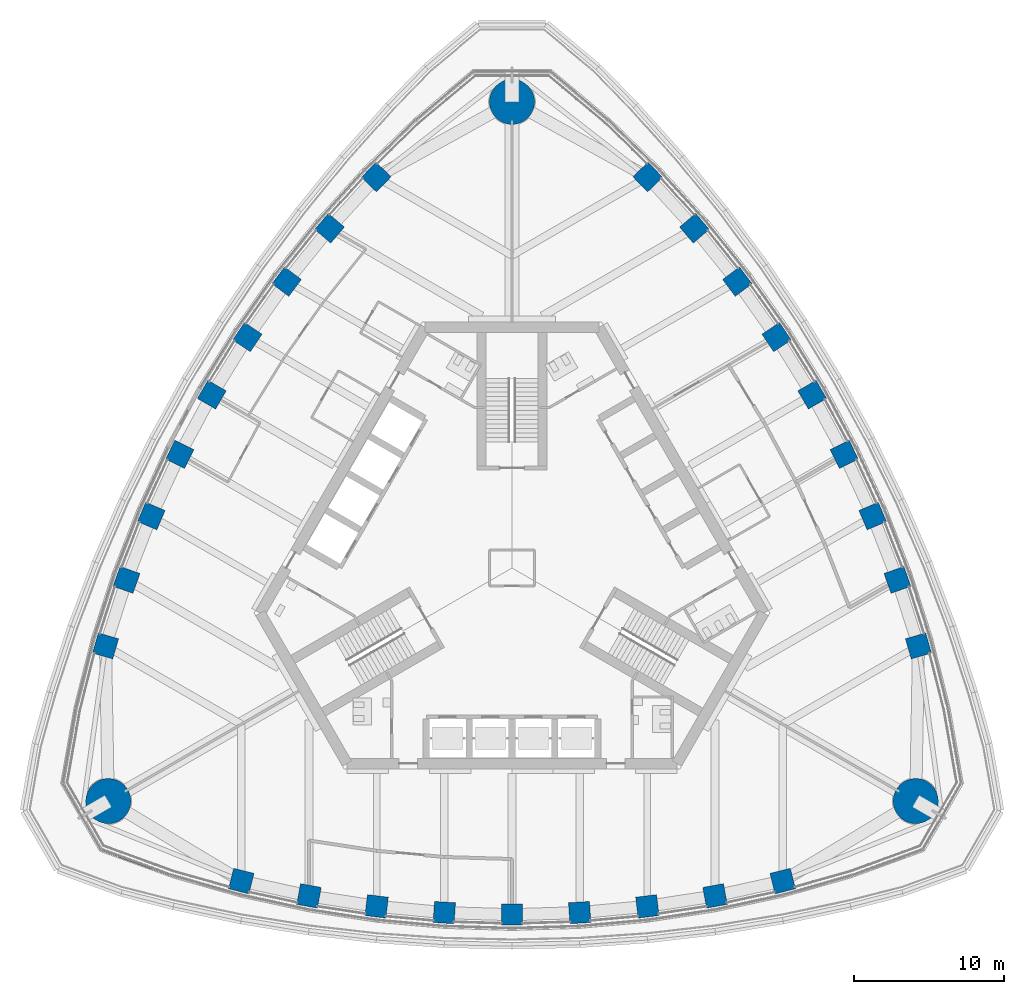
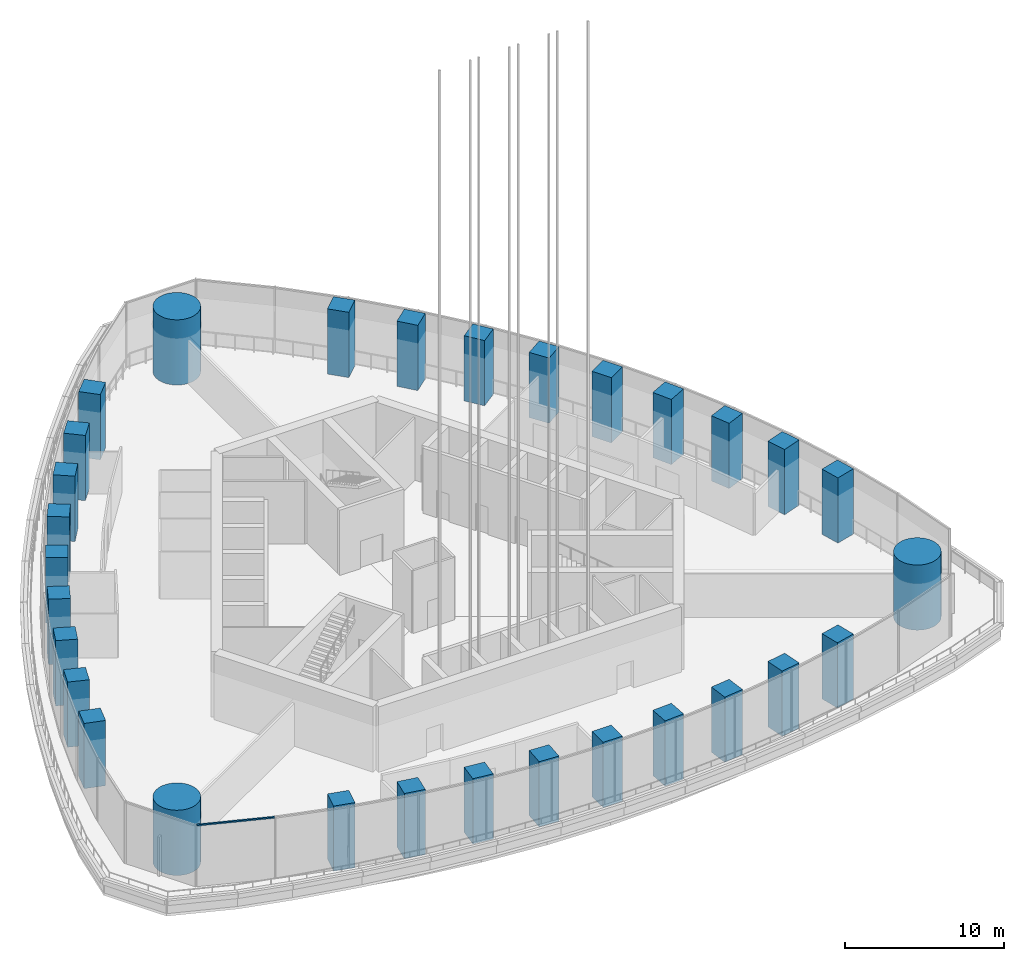
# One storey, part 1 of 26: 30 columns, 1 member, 1 element without a shape of its own.
"""IFC4 building model written with IfcOpenShell, lengths in metres."""

from ifc_helpers import new_model, si_unit, direction, frame, origin, origin_2d, place, context, subcontext, project, spatial, rectangle, circle, extrude, material, material_profile, profile_set, type_object, element, aggregate, save


model = new_model("IFC4")

# Units and contexts
model_context = context("Model", 3, precision=1e-05, world=origin(), true_north=direction((0.0, 1.0)))
body_context = subcontext(model_context, "Body", "Model", "MODEL_VIEW")
ifc_project = project(units=[si_unit("LENGTHUNIT", "METRE"), si_unit("AREAUNIT", "SQUARE_METRE"), si_unit("VOLUMEUNIT", "CUBIC_METRE"), si_unit("PLANEANGLEUNIT", "RADIAN"), si_unit("MASSUNIT", "GRAM", prefix="KILO")], contexts=[model_context])

# Site, building, storey
site_placement = place(None, origin())
site = spatial("IfcSite", under=ifc_project, at=site_placement, CompositionType="ELEMENT")
building_placement = place(site_placement, origin())
building = spatial("IfcBuilding", under=site, at=building_placement, Name="Trefoil Bronze Tower", CompositionType="ELEMENT")
storey_placement = place(building_placement, frame((0.0, 0.0, 271.300048828125)))
storey = spatial("IfcBuildingStorey", under=building, at=storey_placement, Name="L62", CompositionType="ELEMENT", Elevation=271.300048828125)

# Columns
ifc_material_1 = material(Name="Concrete B80", Category="concrete")
ifc_material_profile_1 = material_profile(ifc_material_1, circle(Radius=1.5, at=origin_2d()), Name="RC D3000")
ifc_profile_set_1 = profile_set([ifc_material_profile_1], Name="Concrete B80")
column_type_1 = type_object("IfcColumnType", Name="Mega column RC D3000", PredefinedType="COLUMN", material=ifc_profile_set_1)
for number, where, z_axis, x_axis, name in (
    (1, (26.8466796875, -15.5, 0.0), (0.0, 0.0, 1.0), (1.0, 0.0, 0.0), "Mega column K1 L62"),
    (2, (0.0, 31.0, 0.0), (0.0, 0.0, 1.0), (1.0, 0.0, 0.0), "Mega column K2 L62"),
    (3, (-26.8466796875, -15.5, 0.0), (0.0, 0.0, 1.0), (1.0, 0.0, 0.0), "Mega column K3 L62"),
):
    element("IfcColumn", number, at=place(storey_placement, frame(where, z_axis=z_axis, x_axis=x_axis)), inside=storey, type_object=column_type_1, Name=name, PredefinedType="COLUMN", context=body_context, shape_type="SweptSolid", body=[
        extrude(circle(Radius=1.5, at=origin_2d()), origin(), (0.0, 0.0, 1.0), 5.0),
    ])
ifc_material_2 = material(Name="Concrete B80", Category="concrete")
ifc_material_profile_2 = material_profile(ifc_material_2, rectangle(XDim=1.39990234375, YDim=1.39990234375, at=origin_2d()), Name="RC 1400x1400")
ifc_profile_set_2 = profile_set([ifc_material_profile_2], Name="Concrete B80")
column_type_2 = type_object("IfcColumnType", Name="Tube column RC 1400x1400", PredefinedType="COLUMN", material=ifc_profile_set_2)
for number, where, z_axis, x_axis, name in (
    (4, (-18.0, -20.816162109375, 0.0), (0.0, 0.0, 1.0), (0.97017777199, -0.242394494031, 0.0), "Tube column F1/-4 L62"),
    (5, (-13.5, -21.802734375, 0.0), (0.0, 0.0, 1.0), (0.983360067227, -0.181667218242, 0.0), "Tube column F1/-3 L62"),
    (6, (-9.0, -22.499267578125, 0.0), (0.0, 0.0, 1.0), (0.992639174109, -0.121109330868, 0.0), "Tube column F1/-2 L62"),
    (7, (-4.5, -22.913818359375, 0.0), (0.0, 0.0, 1.0), (0.998164920349, -0.060554040199, 0.0), "Tube column F1/-1 L62"),
    (8, (0.0, -23.051513671875, 0.0), (0.0, 0.0, 1.0), (1.0, 0.0, 0.0), "Tube column F1/+0 L62"),
    (9, (4.5, -22.913818359375, 0.0), (0.0, 0.0, 1.0), (0.998164920349, 0.060554040199, 0.0), "Tube column F1/+1 L62"),
    (10, (9.0, -22.499267578125, 0.0), (0.0, 0.0, 1.0), (0.992639174109, 0.121109330868, 0.0), "Tube column F1/+2 L62"),
    (11, (13.5, -21.802734375, 0.0), (0.0, 0.0, 1.0), (0.983360067227, 0.181667218242, 0.0), "Tube column F1/+3 L62"),
    (12, (18.0, -20.816162109375, 0.0), (0.0, 0.0, 1.0), (0.97017777199, 0.242394494031, 0.0), "Tube column F1/+4 L62"),
    (13, (27.02734375, -5.180419921875, 0.0), (0.0, 0.0, 1.0), (-0.275169096426, 0.961395843746, 0.0), "Tube column F2/-4 L62"),
    (14, (25.631591796875, -0.7900390625, 0.0), (0.0, 0.0, 1.0), (-0.334351607581, 0.942448408407, 0.0), "Tube column F2/-3 L62"),
    (15, (23.98486328125, 3.455322265625, 0.0), (0.0, 0.0, 1.0), (-0.391435829888, 0.920205407004, 0.0), "Tube column F2/-2 L62"),
    (16, (22.093994140625, 7.559814453125, 0.0), (0.0, 0.0, 1.0), (-0.44664112306, 0.894713198289, 0.0), "Tube column F2/-1 L62"),
    (17, (19.96337890625, 11.52587890625, 0.0), (0.0, 0.0, 1.0), (-0.5, 0.866025403784, 0.0), "Tube column F2/+0 L62"),
    (18, (17.593994140625, 15.35400390625, 0.0), (0.0, 0.0, 1.0), (-0.551523797289, 0.834159158089, 0.0), "Tube column F2/+1 L62"),
    (19, (14.98486328125, 19.043701171875, 0.0), (0.0, 0.0, 1.0), (-0.601203344222, 0.799096076136, 0.0), "Tube column F2/+2 L62"),
    (20, (12.131591796875, 22.5927734375, 0.0), (0.0, 0.0, 1.0), (-0.649008459646, 0.760781190165, 0.0), "Tube column F2/+3 L62"),
    (21, (9.02734375, 25.99658203125, 0.0), (0.0, 0.0, 1.0), (-0.695008675564, 0.719001349715, 0.0), "Tube column F2/+4 L62"),
    (22, (-9.02734375, 25.99658203125, 0.0), (0.0, 0.0, 1.0), (-0.695008675564, -0.719001349715, 0.0), "Tube column F3/-4 L62"),
    (23, (-12.131591796875, 22.5927734375, 0.0), (0.0, 0.0, 1.0), (-0.649008459646, -0.760781190165, 0.0), "Tube column F3/-3 L62"),
    (24, (-14.98486328125, 19.043701171875, 0.0), (0.0, 0.0, 1.0), (-0.601203344222, -0.799096076136, 0.0), "Tube column F3/-2 L62"),
    (25, (-17.593994140625, 15.35400390625, 0.0), (0.0, 0.0, 1.0), (-0.551523797289, -0.834159158089, 0.0), "Tube column F3/-1 L62"),
    (26, (-19.96337890625, 11.52587890625, 0.0), (0.0, 0.0, 1.0), (-0.5, -0.866025403784, 0.0), "Tube column F3/+0 L62"),
    (27, (-22.093994140625, 7.559814453125, 0.0), (0.0, 0.0, 1.0), (-0.44664112306, -0.894713198289, 0.0), "Tube column F3/+1 L62"),
    (28, (-23.98486328125, 3.455322265625, 0.0), (0.0, 0.0, 1.0), (-0.391435829888, -0.920205407004, 0.0), "Tube column F3/+2 L62"),
    (29, (-25.631591796875, -0.7900390625, 0.0), (0.0, 0.0, 1.0), (-0.334351607581, -0.942448408407, 0.0), "Tube column F3/+3 L62"),
    (30, (-27.02734375, -5.180419921875, 0.0), (0.0, 0.0, 1.0), (-0.275169096426, -0.961395843746, 0.0), "Tube column F3/+4 L62"),
):
    element("IfcColumn", number, at=place(storey_placement, frame(where, z_axis=z_axis, x_axis=x_axis)), inside=storey, type_object=column_type_2, Name=name, PredefinedType="COLUMN", context=body_context, shape_type="SweptSolid", body=[
        extrude(rectangle(XDim=1.39990234375, YDim=1.39990234375, at=origin_2d()), origin(), (0.0, 0.0, 1.0), 5.0),
    ])

# Curtain wall, member
ifc_material_3 = material(Name="Tinted solar-control glass", Category="glass")
curtain_wall_type = type_object("IfcCurtainWallType", Name="Bronze rounded corner curtain wall", PredefinedType="USERDEFINED", material=ifc_material_3)
curtain_wall_placement = place(storey_placement, origin())
curtain_wall = element("IfcCurtainWall", 31, at=curtain_wall_placement, inside=storey, type_object=curtain_wall_type, Name="CW-B L62 K3", ObjectType="CURTAIN WALL", PredefinedType="USERDEFINED")
ifc_material_4 = material(Name="Bronze-finish aluminium", Category="aluminium")
ifc_material_profile_3 = material_profile(ifc_material_4, rectangle(XDim=0.1201171875, YDim=0.10009765625, at=origin_2d()), Name="CW-B transom")
ifc_profile_set_3 = profile_set([ifc_material_profile_3], Name="Bronze-finish aluminium")
member_type = type_object("IfcMemberType", Name="Bronze rounded corner curtain wall transom", PredefinedType="USERDEFINED", material=ifc_profile_set_3)
member_placement = place(storey_placement, frame((-27.26806640625, -18.740234375, 4.929931640625), z_axis=(0.93969990549, -0.342000128103, 0.0), x_axis=(0.342000128103, 0.93969990549, 0.0)))
member = element("IfcMember", 32, at=member_placement, type_object=member_type, Name="CW-B L62 K3 transom 3", ObjectType="TRANSOM", PredefinedType="USERDEFINED", context=body_context, shape_type="SweptSolid", body=[
    extrude(rectangle(XDim=0.1201171875, YDim=0.10009765625, at=origin_2d()), origin(), (0.0, 0.0, 1.0), 4.956298828125),
])
aggregate(curtain_wall, [member])

save(model, "model.ifc")
